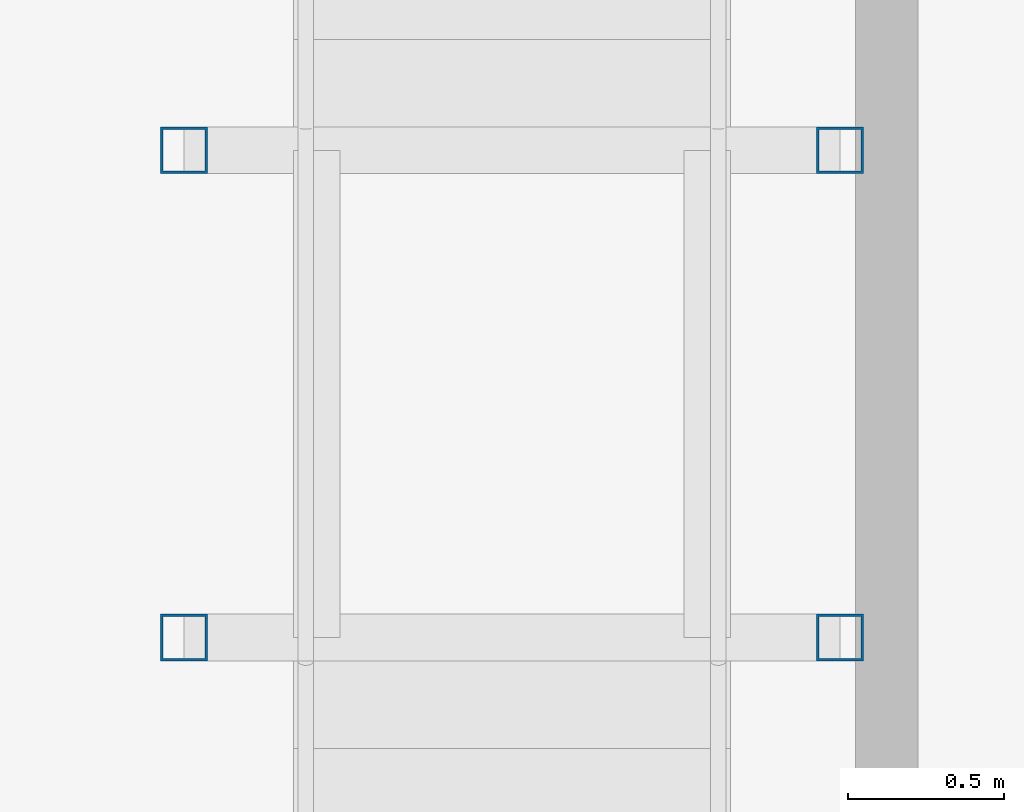
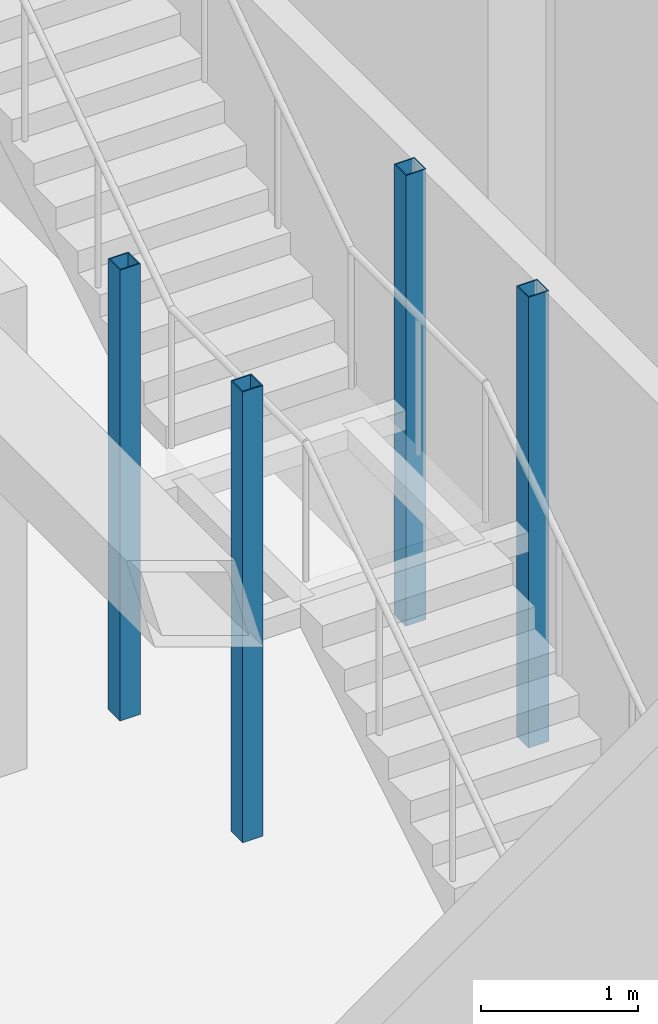
# One storey, part 2 of 27: 4 columns.
"""IFC4 building model written with IfcOpenShell, lengths in metres."""

from ifc_helpers import new_model, si_unit, direction, frame, origin, origin_2d, place, context, subcontext, project, spatial, hollow_rectangle, extrude, material, material_profile, profile_set, type_object, element, save


model = new_model("IFC4")

# Units and contexts
model_context = context("Model", 3, precision=1e-05, world=origin(), true_north=direction((0.0, 1.0)))
body_context = subcontext(model_context, "Body", "Model", "MODEL_VIEW")
ifc_project = project(units=[si_unit("LENGTHUNIT", "METRE"), si_unit("AREAUNIT", "SQUARE_METRE"), si_unit("VOLUMEUNIT", "CUBIC_METRE"), si_unit("PLANEANGLEUNIT", "RADIAN"), si_unit("MASSUNIT", "GRAM", prefix="KILO")], contexts=[model_context])

# Site, building, storey
site_placement = place(None, origin())
site = spatial("IfcSite", under=ifc_project, at=site_placement, CompositionType="ELEMENT")
building_placement = place(site_placement, origin())
building = spatial("IfcBuilding", under=site, at=building_placement, Name="Orbita Commons", CompositionType="ELEMENT")
storey_placement = place(building_placement, frame((0.0, 0.0, 178.60009765625)))
storey = spatial("IfcBuildingStorey", under=building, at=storey_placement, Name="L44", CompositionType="ELEMENT", Elevation=178.60009765625)

# Columns
ifc_material = material(Name="Steel ASTM A992", Category="steel")
ifc_material_profile = material_profile(ifc_material, hollow_rectangle(XDim=0.14990234375, YDim=0.14990234375, WallThickness=0.008056640625, at=origin_2d()), Name="SHS 150x150x8")
ifc_profile_set = profile_set([ifc_material_profile], Name="Steel ASTM A992")
column_type = type_object("IfcColumnType", Name="Landing post SHS 150x150x8", PredefinedType="COLUMN", material=ifc_profile_set)
for number, where, z_axis, x_axis, name in (
    (1, (13.35009765625, 34.375, 0.0), (0.0, 0.0, 1.0), (1.0, 0.0, 0.0), "Neighbourhood stair L44 to L45 landing post 1"),
    (2, (15.449951171875, 34.375, 0.0), (0.0, 0.0, 1.0), (1.0, 0.0, 0.0), "Neighbourhood stair L44 to L45 landing post 2"),
    (3, (13.35009765625, 35.93505859375, 0.0), (0.0, 0.0, 1.0), (1.0, 0.0, 0.0), "Neighbourhood stair L44 to L45 landing post 3"),
    (4, (15.449951171875, 35.93505859375, 0.0), (0.0, 0.0, 1.0), (1.0, 0.0, 0.0), "Neighbourhood stair L44 to L45 landing post 4"),
):
    element("IfcColumn", number, at=place(storey_placement, frame(where, z_axis=z_axis, x_axis=x_axis)), inside=storey, type_object=column_type, Name=name, PredefinedType="COLUMN", context=body_context, shape_type="SweptSolid", body=[
        extrude(hollow_rectangle(XDim=0.14990234375, YDim=0.14990234375, WallThickness=0.008056640625, at=origin_2d()), origin(), (0.0, 0.0, 1.0), 3.5),
    ])

save(model, "model.ifc")
